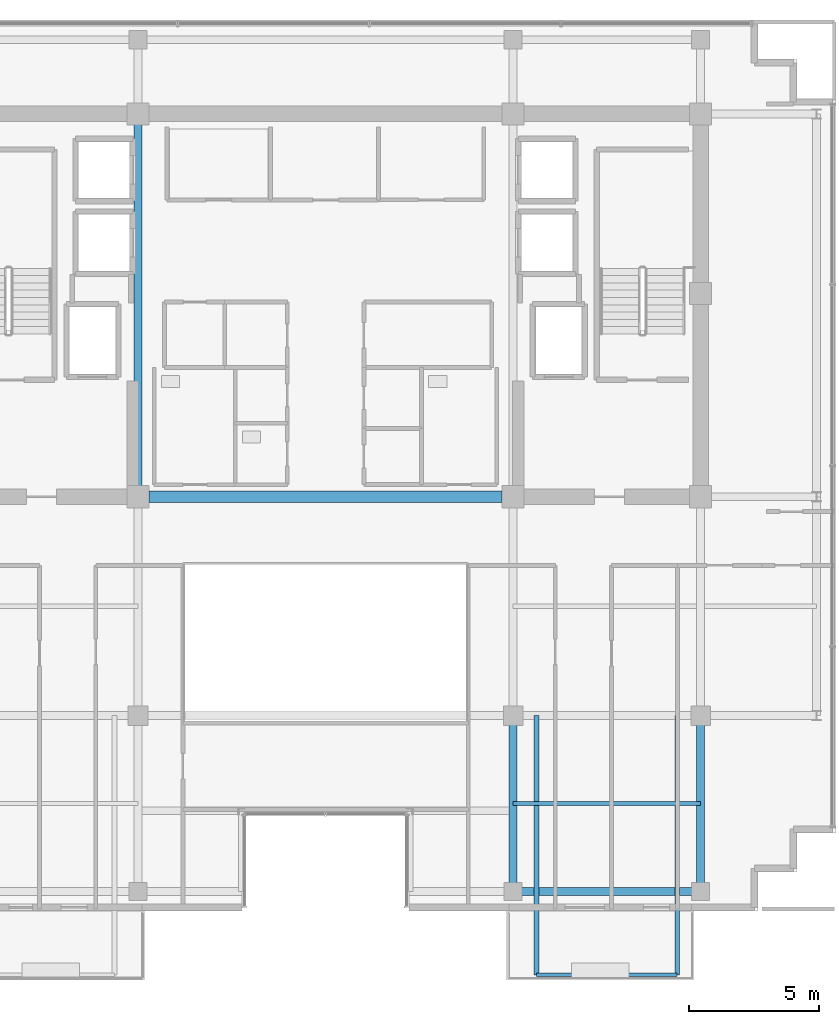
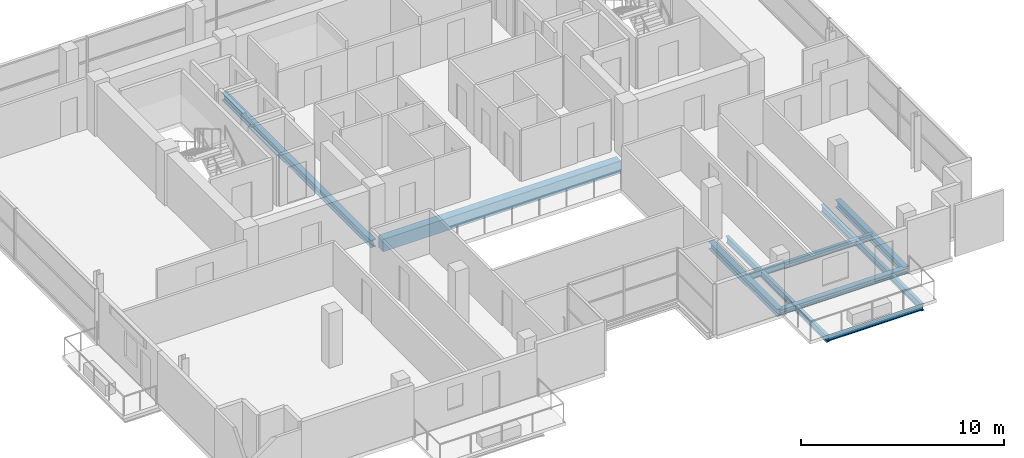
# One storey, part 7 of 22: 9 beams.
"""IFC4 building model written with IfcOpenShell, lengths in metres."""

from ifc_helpers import new_model, si_unit, direction, frame, origin, origin_2d, place, context, subcontext, project, spatial, rectangle, i_section, extrude, material, material_profile, profile_set, type_object, element, save


model = new_model("IFC4")

# Units and contexts
model_context = context("Model", 3, precision=1e-05, world=origin(), true_north=direction((0.0, 1.0)))
body_context = subcontext(model_context, "Body", "Model", "MODEL_VIEW")
ifc_project = project(units=[si_unit("LENGTHUNIT", "METRE"), si_unit("AREAUNIT", "SQUARE_METRE"), si_unit("VOLUMEUNIT", "CUBIC_METRE"), si_unit("PLANEANGLEUNIT", "RADIAN"), si_unit("MASSUNIT", "GRAM", prefix="KILO")], contexts=[model_context])

# Site, building, storey
site_placement = place(None, origin())
site = spatial("IfcSite", under=ifc_project, at=site_placement, CompositionType="ELEMENT")
building_placement = place(site_placement, origin())
building = spatial("IfcBuilding", under=site, at=building_placement, Name="Zarnakvel Exchange Tower", CompositionType="ELEMENT")
storey_placement = place(building_placement, frame((0.0, 0.0, 228.699951171875)))
storey = spatial("IfcBuildingStorey", under=building, at=storey_placement, Name="L64", CompositionType="ELEMENT", Elevation=228.699951171875)

# Beams
ifc_material_1 = material(Name="Steel S355", Category="steel")
ifc_material_profile_1 = material_profile(ifc_material_1, i_section(OverallWidth=0.179931640625, OverallDepth=0.39990234375, WebThickness=0.008544921875, FlangeThickness=0.013427734375, FilletRadius=0.02099609375, at=origin_2d()))
ifc_profile_set_1 = profile_set([ifc_material_profile_1], Name="Steel S355")
beam_type_1 = type_object("IfcBeamType", Name="B-06", PredefinedType="JOIST", material=ifc_profile_set_1)
for number, where, z_axis, x_axis, name in (
    (1, (8.10009765625, -9.60009765625, -0.425048828125), (0.0, -1.0, 0.0), (1.0, 0.0, 0.0), "L64 Continuous Back-Spanned Balcony Beam W"),
    (2, (13.5, -9.60009765625, -0.425048828125), (0.0, -1.0, 0.0), (1.0, 0.0, 0.0), "L64 Continuous Back-Spanned Balcony Beam E"),
):
    element("IfcBeam", number, at=place(storey_placement, frame(where, z_axis=z_axis, x_axis=x_axis)), inside=storey, type_object=beam_type_1, Name=name, PredefinedType="JOIST", context=body_context, shape_type="SweptSolid", body=[
        extrude(i_section(OverallWidth=0.179931640625, OverallDepth=0.39990234375, WebThickness=0.008544921875, FlangeThickness=0.013427734375, FilletRadius=0.02099609375, at=origin_2d()), origin(), (0.0, 0.0, 1.0), 9.949951171875),
    ])
ifc_material_profile_2 = material_profile(ifc_material_1, i_section(OverallWidth=0.169921875, OverallDepth=0.360107421875, WebThickness=0.008056640625, FlangeThickness=0.0126953125, FilletRadius=0.01806640625, at=origin_2d()))
ifc_profile_set_2 = profile_set([ifc_material_profile_2], Name="Steel S355")
beam_type_2 = type_object("IfcBeamType", Name="B-07", PredefinedType="JOIST", material=ifc_profile_set_2)
beam_1_placement = place(storey_placement, frame((7.199951171875, -12.97509765625, -0.405029296875), z_axis=(1.0, 0.0, 0.0), x_axis=(0.0, 1.0, 0.0)))
element("IfcBeam", 3, at=beam_1_placement, inside=storey, type_object=beam_type_2, Name="L64 Composite Floor Secondary Joist", PredefinedType="JOIST", context=body_context, shape_type="SweptSolid", body=[
    extrude(i_section(OverallWidth=0.169921875, OverallDepth=0.360107421875, WebThickness=0.008056640625, FlangeThickness=0.0126953125, FilletRadius=0.01806640625, at=origin_2d()), origin(), (0.0, 0.0, 1.0), 7.199951171875),
])
ifc_material_profile_3 = material_profile(ifc_material_1, i_section(OverallWidth=0.14990234375, OverallDepth=0.300048828125, WebThickness=0.007080078125, FlangeThickness=0.0107421875, FilletRadius=0.014892578125, at=origin_2d()))
ifc_profile_set_3 = profile_set([ifc_material_profile_3], Name="Steel S355")
beam_type_3 = type_object("IfcBeamType", Name="B-08", PredefinedType="JOIST", material=ifc_profile_set_3)
beam_2_placement = place(storey_placement, frame((8.10009765625, -19.550048828125, -0.375), z_axis=(1.0, 0.0, 0.0), x_axis=(0.0, 1.0, 0.0)))
element("IfcBeam", 4, at=beam_2_placement, inside=storey, type_object=beam_type_3, Name="L64 Balcony Edge Beam", PredefinedType="JOIST", context=body_context, shape_type="SweptSolid", body=[
    extrude(i_section(OverallWidth=0.14990234375, OverallDepth=0.300048828125, WebThickness=0.007080078125, FlangeThickness=0.0107421875, FilletRadius=0.014892578125, at=origin_2d()), origin(), (0.0, 0.0, 1.0), 5.39990234375),
])
ifc_material_2 = material(Name="Concrete C50/60", Category="concrete")
ifc_material_profile_4 = material_profile(ifc_material_2, rectangle(XDim=0.449951171875, YDim=0.75, at=origin_2d()))
ifc_profile_set_4 = profile_set([ifc_material_profile_4], Name="Concrete C50/60")
beam_type_4 = type_object("IfcBeamType", Name="CB-03", PredefinedType="LINTEL", material=ifc_profile_set_4)
beam_3_placement = place(storey_placement, frame((-6.77490234375, -1.199951171875, -0.599853515625), z_axis=(1.0, 0.0, 0.0), x_axis=(0.0, 1.0, 0.0)))
element("IfcBeam", 5, at=beam_3_placement, inside=storey, type_object=beam_type_4, Name="L64 Rear Core South Coupling Beam (CB-03)", PredefinedType="LINTEL", context=body_context, shape_type="SweptSolid", body=[
    extrude(rectangle(XDim=0.449951171875, YDim=0.75, at=origin_2d()), origin(), (0.0, 0.0, 1.0), 13.5498046875),
])
ifc_material_profile_5 = material_profile(ifc_material_1, i_section(OverallWidth=0.300048828125, OverallDepth=0.449951171875, WebThickness=0.013916015625, FlangeThickness=0.02587890625, FilletRadius=0.027099609375, at=origin_2d()))
ifc_profile_set_5 = profile_set([ifc_material_profile_5], Name="Steel S355")
beam_type_5 = type_object("IfcBeamType", Name="G-07", PredefinedType="BEAM", material=ifc_profile_set_5)
beam_4_placement = place(storey_placement, frame((-7.199951171875, -1.199951171875, -0.449951171875), z_axis=(0.0, 1.0, 0.0), x_axis=(-1.0, 0.0, 0.0)))
element("IfcBeam", 6, at=beam_4_placement, inside=storey, type_object=beam_type_5, Name="L64 Tower N-S Frame Beam", PredefinedType="BEAM", context=body_context, shape_type="SweptSolid", body=[
    extrude(i_section(OverallWidth=0.300048828125, OverallDepth=0.449951171875, WebThickness=0.013916015625, FlangeThickness=0.02587890625, FilletRadius=0.027099609375, at=origin_2d()), origin(), (0.0, 0.0, 1.0), 14.699951171875),
])
for number, where, z_axis, x_axis, name in (
    (7, (7.199951171875, -16.35009765625, -0.449951171875), (0.0, 1.0, 0.0), (-1.0, 0.0, 0.0), "L64 Tower N-S Frame Beam"),
    (8, (14.39990234375, -16.35009765625, -0.449951171875), (0.0, 1.0, 0.0), (-1.0, 0.0, 0.0), "L64 Tower N-S Frame Beam"),
):
    element("IfcBeam", number, at=place(storey_placement, frame(where, z_axis=z_axis, x_axis=x_axis)), inside=storey, type_object=beam_type_5, Name=name, PredefinedType="BEAM", context=body_context, shape_type="SweptSolid", body=[
        extrude(i_section(OverallWidth=0.300048828125, OverallDepth=0.449951171875, WebThickness=0.013916015625, FlangeThickness=0.02587890625, FilletRadius=0.027099609375, at=origin_2d()), origin(), (0.0, 0.0, 1.0), 6.75),
    ])
ifc_material_profile_6 = material_profile(ifc_material_1, i_section(OverallWidth=0.300048828125, OverallDepth=0.300048828125, WebThickness=0.010986328125, FlangeThickness=0.01904296875, FilletRadius=0.027099609375, at=origin_2d()))
ifc_profile_set_6 = profile_set([ifc_material_profile_6], Name="Steel S355")
beam_type_6 = type_object("IfcBeamType", Name="SP-03", PredefinedType="SPANDREL", material=ifc_profile_set_6)
beam_5_placement = place(storey_placement, frame((7.199951171875, -16.35009765625, -0.375), z_axis=(1.0, 0.0, 0.0), x_axis=(0.0, 1.0, 0.0)))
element("IfcBeam", 9, at=beam_5_placement, inside=storey, type_object=beam_type_6, Name="L64 Tower E-W Frame Beam", PredefinedType="SPANDREL", context=body_context, shape_type="SweptSolid", body=[
    extrude(i_section(OverallWidth=0.300048828125, OverallDepth=0.300048828125, WebThickness=0.010986328125, FlangeThickness=0.01904296875, FilletRadius=0.027099609375, at=origin_2d()), origin(), (0.0, 0.0, 1.0), 7.199951171875),
])

save(model, "model.ifc")
